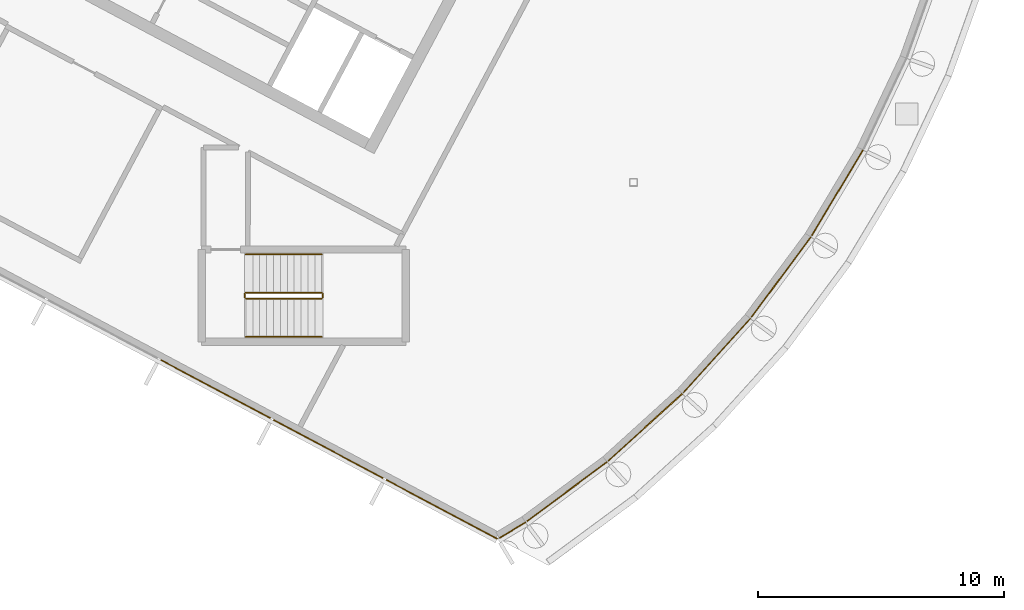
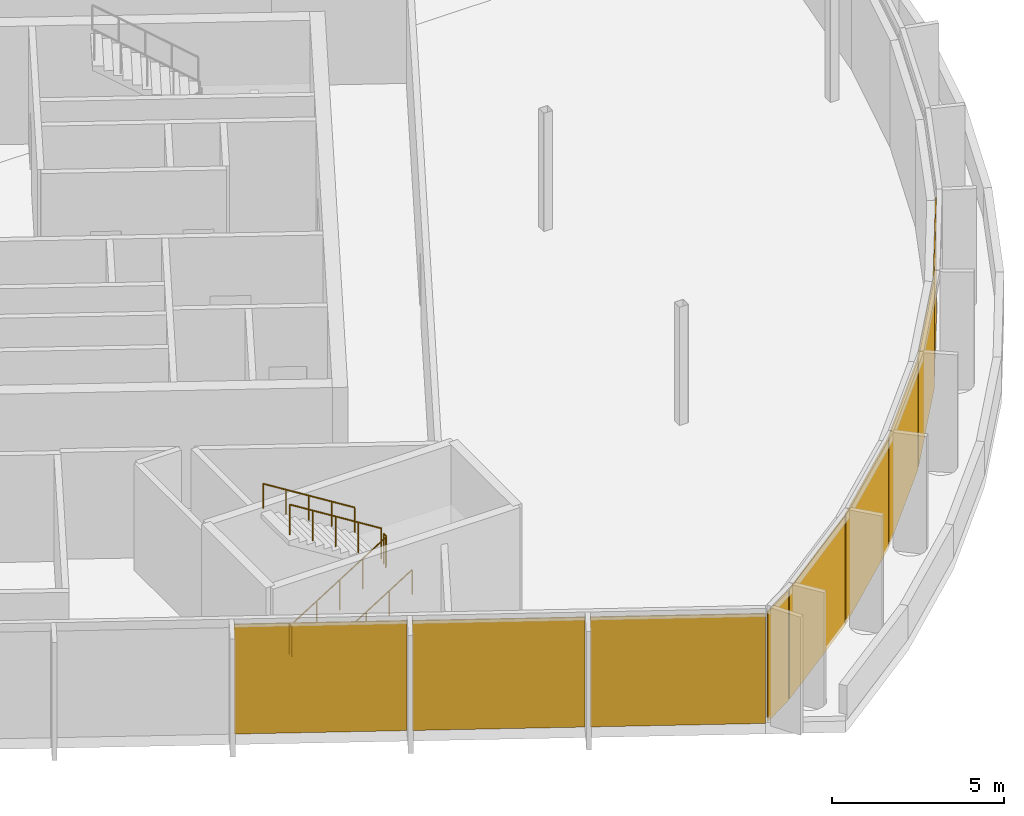
# One storey, part 12 of 15: 9 coverings, 6 railings, 7 elements without a shape of their own.
"""IFC4 building model written with IfcOpenShell, lengths in metres."""

from ifc_helpers import new_model, si_unit, direction, frame, origin, origin_2d, place, context, subcontext, project, spatial, polyline, rectangle, outline, extrude, material, layer, layer_set, type_object, element, aggregate, save


model = new_model("IFC4")

# Units and contexts
model_context = context("Model", 3, precision=1e-05, world=origin(), true_north=direction((0.0, 1.0)))
body_context = subcontext(model_context, "Body", "Model", "MODEL_VIEW")
ifc_project = project(units=[si_unit("LENGTHUNIT", "METRE"), si_unit("AREAUNIT", "SQUARE_METRE"), si_unit("VOLUMEUNIT", "CUBIC_METRE"), si_unit("PLANEANGLEUNIT", "RADIAN"), si_unit("MASSUNIT", "GRAM", prefix="KILO")], contexts=[model_context])

# Site, building, storey
site_placement = place(None, origin())
site = spatial("IfcSite", under=ifc_project, at=site_placement, CompositionType="ELEMENT")
building_placement = place(site_placement, origin())
building = spatial("IfcBuilding", under=site, at=building_placement, Name="Cormorant Relay Tower", CompositionType="ELEMENT")
storey_placement = place(building_placement, frame((0.0, 0.0, 336.60009765625)))
storey = spatial("IfcBuildingStorey", under=building, at=storey_placement, Name="C3", CompositionType="ELEMENT", Elevation=336.60009765625)

# Curtain wall, coverings
ifc_material_1 = material(Name="Aluminium 6063-T6 anodised bronze", Category="aluminium")
ifc_layer_1 = layer(ifc_material_1, 0.199951171875)
ifc_layer_set_1 = layer_set([ifc_layer_1], Name="CW3 crown screen wall")
curtain_wall_type = type_object("IfcCurtainWallType", Name="CW3 crown screen wall", PredefinedType="NOTDEFINED", material=ifc_layer_set_1)
curtain_wall_1_placement = place(storey_placement, origin())
curtain_wall_1 = element("IfcCurtainWall", 1, at=curtain_wall_1_placement, inside=storey, type_object=curtain_wall_type, Name="CW3 curtain wall 1", PredefinedType="NOTDEFINED")
ifc_material_2 = material(Name="Perforated bronze anodised aluminium screen", Category="aluminium")
ifc_layer_2 = layer(ifc_material_2, 0.0400390625)
ifc_layer_set_2 = layer_set([ifc_layer_2], Name="CW3 perforated bronze screen panel 40")
covering_type = type_object("IfcCoveringType", Name="CW3 perforated bronze screen panel 40", PredefinedType="CLADDING", material=ifc_layer_set_2)
covering_1_placement = place(storey_placement, frame((-28.98388671875, -8.3955078125, 0.0), z_axis=(0.0, 0.0, 1.0), x_axis=(0.882947592859, -0.469471562786, 0.0)))
covering_1 = element("IfcCovering", 2, at=covering_1_placement, type_object=covering_type, Name="CW3 panel X04", PredefinedType="CLADDING", context=body_context, shape_type="SweptSolid", body=[
    extrude(rectangle(XDim=5.038818359375, YDim=0.0400390625, at=origin_2d()), origin(), (0.0, 0.0, 1.0), 3.89990234375),
])
covering_2_placement = place(storey_placement, frame((-24.40234375, -10.83154296875, 0.0), z_axis=(0.0, 0.0, 1.0), x_axis=(0.882947592859, -0.469471562786, 0.0)))
covering_2 = element("IfcCovering", 3, at=covering_2_placement, type_object=covering_type, Name="CW3 panel X05", PredefinedType="CLADDING", context=body_context, shape_type="SweptSolid", body=[
    extrude(rectangle(XDim=5.038818359375, YDim=0.0400390625, at=origin_2d()), origin(), (0.0, 0.0, 1.0), 3.89990234375),
])
covering_3_placement = place(storey_placement, frame((-19.787841796875, -13.285400390625, 0.0), z_axis=(0.0, 0.0, 1.0), x_axis=(0.882947592859, -0.469471562786, 0.0)))
covering_3 = element("IfcCovering", 4, at=covering_3_placement, type_object=covering_type, Name="CW3 panel X06", PredefinedType="CLADDING", context=body_context, shape_type="SweptSolid", body=[
    extrude(rectangle(XDim=5.114013671875, YDim=0.0400390625, at=origin_2d()), origin(), (0.0, 0.0, 1.0), 3.89990234375),
])
aggregate(curtain_wall_1, [covering_1, covering_2, covering_3])

# Curtain wall, covering
curtain_wall_2_placement = place(storey_placement, origin())
curtain_wall_2 = element("IfcCurtainWall", 5, at=curtain_wall_2_placement, inside=storey, type_object=curtain_wall_type, Name="CW3 curtain wall 2", PredefinedType="NOTDEFINED")
covering_4_placement = place(storey_placement, frame((-16.917236328125, -14.129638671875, 0.0), z_axis=(0.0, 0.0, 1.0), x_axis=(0.85772861, 0.514102744193, 0.0)))
covering_4 = element("IfcCovering", 6, at=covering_4_placement, type_object=covering_type, Name="CW3 panel X00", PredefinedType="CLADDING", context=body_context, shape_type="SweptSolid", body=[
    extrude(rectangle(XDim=1.233154296875, YDim=0.0400390625, at=origin_2d()), origin(), (0.0, 0.0, 1.0), 3.89990234375),
])
aggregate(curtain_wall_2, [covering_4])

curtain_wall_3_placement = place(storey_placement, origin())
curtain_wall_3 = element("IfcCurtainWall", 7, at=curtain_wall_3_placement, inside=storey, type_object=curtain_wall_type, Name="CW3 curtain wall 3", PredefinedType="NOTDEFINED")
covering_5_placement = place(storey_placement, frame((-14.701416015625, -12.5615234375, 0.0), z_axis=(0.0, 0.0, 1.0), x_axis=(0.803207531481, 0.595699304492, 0.0)))
covering_5 = element("IfcCovering", 8, at=covering_5_placement, type_object=covering_type, Name="CW3 panel X00", PredefinedType="CLADDING", context=body_context, shape_type="SweptSolid", body=[
    extrude(rectangle(XDim=4.046630859375, YDim=0.0400390625, at=origin_2d()), origin(), (0.0, 0.0, 1.0), 3.89990234375),
])
aggregate(curtain_wall_3, [covering_5])

curtain_wall_4_placement = place(storey_placement, origin())
curtain_wall_4 = element("IfcCurtainWall", 9, at=curtain_wall_4_placement, inside=storey, type_object=curtain_wall_type, Name="CW3 curtain wall 4", PredefinedType="NOTDEFINED")
covering_6_placement = place(storey_placement, frame((-11.52001953125, -9.94580078125, 0.0), z_axis=(0.0, 0.0, 1.0), x_axis=(0.740951125355, 0.671558954847, 0.0)))
covering_6 = element("IfcCovering", 10, at=covering_6_placement, type_object=covering_type, Name="CW3 panel X00", PredefinedType="CLADDING", context=body_context, shape_type="SweptSolid", body=[
    extrude(rectangle(XDim=4.046630859375, YDim=0.0400390625, at=origin_2d()), origin(), (0.0, 0.0, 1.0), 3.89990234375),
])
aggregate(curtain_wall_4, [covering_6])

curtain_wall_5_placement = place(storey_placement, origin())
curtain_wall_5 = element("IfcCurtainWall", 11, at=curtain_wall_5_placement, inside=storey, type_object=curtain_wall_type, Name="CW3 curtain wall 5", PredefinedType="NOTDEFINED")
covering_7_placement = place(storey_placement, frame((-8.610107421875, -7.031005859375, 0.0), z_axis=(0.0, 0.0, 1.0), x_axis=(0.671558954847, 0.740951125355, 0.0)))
covering_7 = element("IfcCovering", 12, at=covering_7_placement, type_object=covering_type, Name="CW3 panel X00", PredefinedType="CLADDING", context=body_context, shape_type="SweptSolid", body=[
    extrude(rectangle(XDim=4.046630859375, YDim=0.0400390625, at=origin_2d()), origin(), (0.0, 0.0, 1.0), 3.89990234375),
])
aggregate(curtain_wall_5, [covering_7])

curtain_wall_6_placement = place(storey_placement, origin())
curtain_wall_6 = element("IfcCurtainWall", 13, at=curtain_wall_6_placement, inside=storey, type_object=curtain_wall_type, Name="CW3 curtain wall 6", PredefinedType="NOTDEFINED")
covering_8_placement = place(storey_placement, frame((-6.000244140625, -3.8447265625, 0.0), z_axis=(0.0, 0.0, 1.0), x_axis=(0.595699304492, 0.803207531481, 0.0)))
covering_8 = element("IfcCovering", 14, at=covering_8_placement, type_object=covering_type, Name="CW3 panel X00", PredefinedType="CLADDING", context=body_context, shape_type="SweptSolid", body=[
    extrude(rectangle(XDim=4.046630859375, YDim=0.0400390625, at=origin_2d()), origin(), (0.0, 0.0, 1.0), 3.89990234375),
])
aggregate(curtain_wall_6, [covering_8])

curtain_wall_7_placement = place(storey_placement, origin())
curtain_wall_7 = element("IfcCurtainWall", 15, at=curtain_wall_7_placement, inside=storey, type_object=curtain_wall_type, Name="CW3 curtain wall 7", PredefinedType="NOTDEFINED")
covering_9_placement = place(storey_placement, frame((-3.715087890625, -0.418212890625, 0.0), z_axis=(0.0, 0.0, 1.0), x_axis=(0.514102744193, 0.85772861, 0.0)))
covering_9 = element("IfcCovering", 16, at=covering_9_placement, type_object=covering_type, Name="CW3 panel X00", PredefinedType="CLADDING", context=body_context, shape_type="SweptSolid", body=[
    extrude(rectangle(XDim=4.046630859375, YDim=0.0400390625, at=origin_2d()), origin(), (0.0, 0.0, 1.0), 3.89990234375),
])
aggregate(curtain_wall_7, [covering_9])

# Railings
ifc_material_3 = material(Name="Steel ASTM A572 Grade 50 (Fy 345 MPa)", Category="steel")
railing_type_1 = type_object("IfcRailingType", Name="Stair guard 1100", PredefinedType="GUARDRAIL", material=ifc_material_3)
railing_1_placement = place(storey_placement, frame((-27.75, -4.72509765625, 0.1748046875)))
element("IfcRailing", 17, at=railing_1_placement, inside=storey, type_object=railing_type_1, Name="C3 RC1 stair guard 1", PredefinedType="GUARDRAIL", context=body_context, shape_type="SweptSolid", body=[
    extrude(outline(polyline([(0.022216796875, 0.00927734375), (0.00927734375, 0.022216796875), (-0.00927734375, 0.022216796875), (-0.022216796875, 0.00927734375), (-0.022216796875, -0.00927734375), (-0.00927734375, -0.022216796875), (0.00927734375, -0.022216796875), (0.022216796875, -0.00927734375), (0.022216796875, 0.00927734375)])), frame((0.0, 0.0, 1.076171875), z_axis=(0.847998304005, 0.0, 0.529998940003), x_axis=(0.0, 1.0, 0.0)), (0.0, 0.0, 1.0), 3.632080078125),
    extrude(outline(polyline([(0.019287109375, 0.008056640625), (0.008056640625, 0.019287109375), (-0.008056640625, 0.019287109375), (-0.019287109375, 0.008056640625), (-0.019287109375, -0.008056640625), (-0.008056640625, -0.019287109375), (0.008056640625, -0.019287109375), (0.019287109375, -0.008056640625), (0.019287109375, 0.008056640625)])), origin(), (0.0, 0.0, 1.0), 1.052001953125),
    extrude(outline(polyline([(0.019287109375, 0.008056640625), (0.008056640625, 0.019287109375), (-0.008056640625, 0.019287109375), (-0.019287109375, 0.008056640625), (-0.019287109375, -0.008056640625), (-0.008056640625, -0.019287109375), (0.008056640625, -0.019287109375), (0.019287109375, -0.008056640625), (0.019287109375, 0.008056640625)])), frame((0.77001953125, 0.0, 0.481201171875)), (0.0, 0.0, 1.0), 1.052001953125),
    extrude(outline(polyline([(0.019287109375, 0.008056640625), (0.008056640625, 0.019287109375), (-0.008056640625, 0.019287109375), (-0.019287109375, 0.008056640625), (-0.019287109375, -0.008056640625), (-0.008056640625, -0.019287109375), (0.008056640625, -0.019287109375), (0.019287109375, -0.008056640625), (0.019287109375, 0.008056640625)])), frame((1.5400390625, 0.0, 0.96240234375)), (0.0, 0.0, 1.0), 1.052001953125),
    extrude(outline(polyline([(0.019287109375, 0.008056640625), (0.008056640625, 0.019287109375), (-0.008056640625, 0.019287109375), (-0.019287109375, 0.008056640625), (-0.019287109375, -0.008056640625), (-0.008056640625, -0.019287109375), (0.008056640625, -0.019287109375), (0.019287109375, -0.008056640625), (0.019287109375, 0.008056640625)])), frame((2.31005859375, 0.0, 1.44384765625)), (0.0, 0.0, 1.0), 1.052001953125),
    extrude(outline(polyline([(0.019287109375, 0.008056640625), (0.008056640625, 0.019287109375), (-0.008056640625, 0.019287109375), (-0.019287109375, 0.008056640625), (-0.019287109375, -0.008056640625), (-0.008056640625, -0.019287109375), (0.008056640625, -0.019287109375), (0.019287109375, -0.008056640625), (0.019287109375, 0.008056640625)])), frame((3.080078125, 0.0, 1.925048828125)), (0.0, 0.0, 1.0), 1.052001953125),
])
railing_2_placement = place(storey_placement, frame((-24.6201171875, -4.675048828125, 2.099853515625)))
element("IfcRailing", 18, at=railing_2_placement, inside=storey, type_object=railing_type_1, Name="C3 RC1 stair guard 2", PredefinedType="GUARDRAIL", context=body_context, shape_type="SweptSolid", body=[
    extrude(outline(polyline([(0.022216796875, 0.00927734375), (0.00927734375, 0.022216796875), (-0.00927734375, 0.022216796875), (-0.022216796875, 0.00927734375), (-0.022216796875, -0.00927734375), (-0.00927734375, -0.022216796875), (0.00927734375, -0.022216796875), (0.022216796875, -0.00927734375), (0.022216796875, 0.00927734375)])), frame((0.0, 0.0, 1.076171875), z_axis=(0.0, 1.0, 0.0), x_axis=(-1.0, 0.0, 0.0)), (0.0, 0.0, 1.0), 0.150146484375),
    extrude(outline(polyline([(0.019287109375, 0.008056640625), (0.008056640625, 0.019287109375), (-0.008056640625, 0.019287109375), (-0.019287109375, 0.008056640625), (-0.019287109375, -0.008056640625), (-0.008056640625, -0.019287109375), (0.008056640625, -0.019287109375), (0.019287109375, -0.008056640625), (0.019287109375, 0.008056640625)])), origin(), (0.0, 0.0, 1.0), 1.052001953125),
    extrude(outline(polyline([(0.019287109375, 0.008056640625), (0.008056640625, 0.019287109375), (-0.008056640625, 0.019287109375), (-0.019287109375, 0.008056640625), (-0.019287109375, -0.008056640625), (-0.008056640625, -0.019287109375), (0.008056640625, -0.019287109375), (0.019287109375, -0.008056640625), (0.019287109375, 0.008056640625)])), frame((0.0, 0.150146484375, 0.0)), (0.0, 0.0, 1.0), 1.052001953125),
])
railing_3_placement = place(storey_placement, frame((-24.669921875, -4.47509765625, 2.27490234375)))
element("IfcRailing", 19, at=railing_3_placement, inside=storey, type_object=railing_type_1, Name="C3 RC1 stair guard 3", PredefinedType="GUARDRAIL", context=body_context, shape_type="SweptSolid", body=[
    extrude(outline(polyline([(0.022216796875, 0.00927734375), (0.00927734375, 0.022216796875), (-0.00927734375, 0.022216796875), (-0.022216796875, 0.00927734375), (-0.022216796875, -0.00927734375), (-0.00927734375, -0.022216796875), (0.00927734375, -0.022216796875), (0.022216796875, -0.00927734375), (0.022216796875, 0.00927734375)])), frame((0.0, 0.0, 1.076171875), z_axis=(-0.847998304005, 0.0, 0.529998940003), x_axis=(0.0, -1.0, 0.0)), (0.0, 0.0, 1.0), 3.632080078125),
    extrude(outline(polyline([(0.019287109375, 0.008056640625), (0.008056640625, 0.019287109375), (-0.008056640625, 0.019287109375), (-0.019287109375, 0.008056640625), (-0.019287109375, -0.008056640625), (-0.008056640625, -0.019287109375), (0.008056640625, -0.019287109375), (0.019287109375, -0.008056640625), (0.019287109375, 0.008056640625)])), origin(), (0.0, 0.0, 1.0), 1.052001953125),
    extrude(outline(polyline([(0.019287109375, 0.008056640625), (0.008056640625, 0.019287109375), (-0.008056640625, 0.019287109375), (-0.019287109375, 0.008056640625), (-0.019287109375, -0.008056640625), (-0.008056640625, -0.019287109375), (0.008056640625, -0.019287109375), (0.019287109375, -0.008056640625), (0.019287109375, 0.008056640625)])), frame((-0.77001953125, 0.0, 0.481201171875)), (0.0, 0.0, 1.0), 1.052001953125),
    extrude(outline(polyline([(0.019287109375, 0.008056640625), (0.008056640625, 0.019287109375), (-0.008056640625, 0.019287109375), (-0.019287109375, 0.008056640625), (-0.019287109375, -0.008056640625), (-0.008056640625, -0.019287109375), (0.008056640625, -0.019287109375), (0.019287109375, -0.008056640625), (0.019287109375, 0.008056640625)])), frame((-1.5400390625, 0.0, 0.96240234375)), (0.0, 0.0, 1.0), 1.052001953125),
    extrude(outline(polyline([(0.019287109375, 0.008056640625), (0.008056640625, 0.019287109375), (-0.008056640625, 0.019287109375), (-0.019287109375, 0.008056640625), (-0.019287109375, -0.008056640625), (-0.008056640625, -0.019287109375), (0.008056640625, -0.019287109375), (0.019287109375, -0.008056640625), (0.019287109375, 0.008056640625)])), frame((-2.31005859375, 0.0, 1.44384765625)), (0.0, 0.0, 1.0), 1.052001953125),
    extrude(outline(polyline([(0.019287109375, 0.008056640625), (0.008056640625, 0.019287109375), (-0.008056640625, 0.019287109375), (-0.019287109375, 0.008056640625), (-0.019287109375, -0.008056640625), (-0.008056640625, -0.019287109375), (0.008056640625, -0.019287109375), (0.019287109375, -0.008056640625), (0.019287109375, 0.008056640625)])), frame((-3.080078125, 0.0, 1.925048828125)), (0.0, 0.0, 1.0), 1.052001953125),
])
railing_4_placement = place(storey_placement, frame((-27.800048828125, -4.675048828125, 0.0)))
element("IfcRailing", 20, at=railing_4_placement, inside=storey, type_object=railing_type_1, Name="C3 RC1 stair guard 4", PredefinedType="GUARDRAIL", context=body_context, shape_type="SweptSolid", body=[
    extrude(outline(polyline([(0.022216796875, 0.00927734375), (0.00927734375, 0.022216796875), (-0.00927734375, 0.022216796875), (-0.022216796875, 0.00927734375), (-0.022216796875, -0.00927734375), (-0.00927734375, -0.022216796875), (0.00927734375, -0.022216796875), (0.022216796875, -0.00927734375), (0.022216796875, 0.00927734375)])), frame((0.0, 0.0, 1.076171875), z_axis=(0.0, 1.0, 0.0), x_axis=(-1.0, 0.0, 0.0)), (0.0, 0.0, 1.0), 0.150146484375),
    extrude(outline(polyline([(0.019287109375, 0.008056640625), (0.008056640625, 0.019287109375), (-0.008056640625, 0.019287109375), (-0.019287109375, 0.008056640625), (-0.019287109375, -0.008056640625), (-0.008056640625, -0.019287109375), (0.008056640625, -0.019287109375), (0.019287109375, -0.008056640625), (0.019287109375, 0.008056640625)])), origin(), (0.0, 0.0, 1.0), 1.052001953125),
    extrude(outline(polyline([(0.019287109375, 0.008056640625), (0.008056640625, 0.019287109375), (-0.008056640625, 0.019287109375), (-0.019287109375, 0.008056640625), (-0.019287109375, -0.008056640625), (-0.008056640625, -0.019287109375), (0.008056640625, -0.019287109375), (0.019287109375, -0.008056640625), (0.019287109375, 0.008056640625)])), frame((0.0, 0.150146484375, 0.0)), (0.0, 0.0, 1.0), 1.052001953125),
])
ifc_material_4 = material(Name="Steel ASTM A572 Grade 50 (Fy 345 MPa)", Category="steel")
railing_type_2 = type_object("IfcRailingType", Name="Stair handrail 900", PredefinedType="HANDRAIL", material=ifc_material_4)
railing_5_placement = place(storey_placement, frame((-27.75, -6.27490234375, 0.1748046875)))
element("IfcRailing", 21, at=railing_5_placement, inside=storey, type_object=railing_type_2, Name="C3 RC1 stair handrail 1", PredefinedType="HANDRAIL", context=body_context, shape_type="SweptSolid", body=[
    extrude(outline(polyline([(0.022216796875, 0.00927734375), (0.00927734375, 0.022216796875), (-0.00927734375, 0.022216796875), (-0.022216796875, 0.00927734375), (-0.022216796875, -0.00927734375), (-0.00927734375, -0.022216796875), (0.00927734375, -0.022216796875), (0.022216796875, -0.00927734375), (0.022216796875, 0.00927734375)])), frame((0.0, 0.0, 0.8759765625), z_axis=(0.847998304005, 0.0, 0.529998940003), x_axis=(0.0, 1.0, 0.0)), (0.0, 0.0, 1.0), 3.632080078125),
    extrude(outline(polyline([(0.019287109375, 0.008056640625), (0.008056640625, 0.019287109375), (-0.008056640625, 0.019287109375), (-0.019287109375, 0.008056640625), (-0.019287109375, -0.008056640625), (-0.008056640625, -0.019287109375), (0.008056640625, -0.019287109375), (0.019287109375, -0.008056640625), (0.019287109375, 0.008056640625)])), origin(), (0.0, 0.0, 1.0), 0.851806640625),
    extrude(outline(polyline([(0.019287109375, 0.008056640625), (0.008056640625, 0.019287109375), (-0.008056640625, 0.019287109375), (-0.019287109375, 0.008056640625), (-0.019287109375, -0.008056640625), (-0.008056640625, -0.019287109375), (0.008056640625, -0.019287109375), (0.019287109375, -0.008056640625), (0.019287109375, 0.008056640625)])), frame((0.77001953125, 0.0, 0.481201171875)), (0.0, 0.0, 1.0), 0.851806640625),
    extrude(outline(polyline([(0.019287109375, 0.008056640625), (0.008056640625, 0.019287109375), (-0.008056640625, 0.019287109375), (-0.019287109375, 0.008056640625), (-0.019287109375, -0.008056640625), (-0.008056640625, -0.019287109375), (0.008056640625, -0.019287109375), (0.019287109375, -0.008056640625), (0.019287109375, 0.008056640625)])), frame((1.5400390625, 0.0, 0.96240234375)), (0.0, 0.0, 1.0), 0.851806640625),
    extrude(outline(polyline([(0.019287109375, 0.008056640625), (0.008056640625, 0.019287109375), (-0.008056640625, 0.019287109375), (-0.019287109375, 0.008056640625), (-0.019287109375, -0.008056640625), (-0.008056640625, -0.019287109375), (0.008056640625, -0.019287109375), (0.019287109375, -0.008056640625), (0.019287109375, 0.008056640625)])), frame((2.31005859375, 0.0, 1.44384765625)), (0.0, 0.0, 1.0), 0.851806640625),
    extrude(outline(polyline([(0.019287109375, 0.008056640625), (0.008056640625, 0.019287109375), (-0.008056640625, 0.019287109375), (-0.019287109375, 0.008056640625), (-0.019287109375, -0.008056640625), (-0.008056640625, -0.019287109375), (0.008056640625, -0.019287109375), (0.019287109375, -0.008056640625), (0.019287109375, 0.008056640625)])), frame((3.080078125, 0.0, 1.925048828125)), (0.0, 0.0, 1.0), 0.851806640625),
])
railing_6_placement = place(storey_placement, frame((-24.669921875, -2.925048828125, 2.27490234375)))
element("IfcRailing", 22, at=railing_6_placement, inside=storey, type_object=railing_type_2, Name="C3 RC1 stair handrail 2", PredefinedType="HANDRAIL", context=body_context, shape_type="SweptSolid", body=[
    extrude(outline(polyline([(0.022216796875, 0.00927734375), (0.00927734375, 0.022216796875), (-0.00927734375, 0.022216796875), (-0.022216796875, 0.00927734375), (-0.022216796875, -0.00927734375), (-0.00927734375, -0.022216796875), (0.00927734375, -0.022216796875), (0.022216796875, -0.00927734375), (0.022216796875, 0.00927734375)])), frame((0.0, 0.0, 0.8759765625), z_axis=(-0.847998304005, 0.0, 0.529998940003), x_axis=(0.0, -1.0, 0.0)), (0.0, 0.0, 1.0), 3.632080078125),
    extrude(outline(polyline([(0.019287109375, 0.008056640625), (0.008056640625, 0.019287109375), (-0.008056640625, 0.019287109375), (-0.019287109375, 0.008056640625), (-0.019287109375, -0.008056640625), (-0.008056640625, -0.019287109375), (0.008056640625, -0.019287109375), (0.019287109375, -0.008056640625), (0.019287109375, 0.008056640625)])), origin(), (0.0, 0.0, 1.0), 0.851806640625),
    extrude(outline(polyline([(0.019287109375, 0.008056640625), (0.008056640625, 0.019287109375), (-0.008056640625, 0.019287109375), (-0.019287109375, 0.008056640625), (-0.019287109375, -0.008056640625), (-0.008056640625, -0.019287109375), (0.008056640625, -0.019287109375), (0.019287109375, -0.008056640625), (0.019287109375, 0.008056640625)])), frame((-0.77001953125, 0.0, 0.481201171875)), (0.0, 0.0, 1.0), 0.851806640625),
    extrude(outline(polyline([(0.019287109375, 0.008056640625), (0.008056640625, 0.019287109375), (-0.008056640625, 0.019287109375), (-0.019287109375, 0.008056640625), (-0.019287109375, -0.008056640625), (-0.008056640625, -0.019287109375), (0.008056640625, -0.019287109375), (0.019287109375, -0.008056640625), (0.019287109375, 0.008056640625)])), frame((-1.5400390625, 0.0, 0.96240234375)), (0.0, 0.0, 1.0), 0.851806640625),
    extrude(outline(polyline([(0.019287109375, 0.008056640625), (0.008056640625, 0.019287109375), (-0.008056640625, 0.019287109375), (-0.019287109375, 0.008056640625), (-0.019287109375, -0.008056640625), (-0.008056640625, -0.019287109375), (0.008056640625, -0.019287109375), (0.019287109375, -0.008056640625), (0.019287109375, 0.008056640625)])), frame((-2.31005859375, 0.0, 1.44384765625)), (0.0, 0.0, 1.0), 0.851806640625),
    extrude(outline(polyline([(0.019287109375, 0.008056640625), (0.008056640625, 0.019287109375), (-0.008056640625, 0.019287109375), (-0.019287109375, 0.008056640625), (-0.019287109375, -0.008056640625), (-0.008056640625, -0.019287109375), (0.008056640625, -0.019287109375), (0.019287109375, -0.008056640625), (0.019287109375, 0.008056640625)])), frame((-3.080078125, 0.0, 1.925048828125)), (0.0, 0.0, 1.0), 0.851806640625),
])

save(model, "model.ifc")
